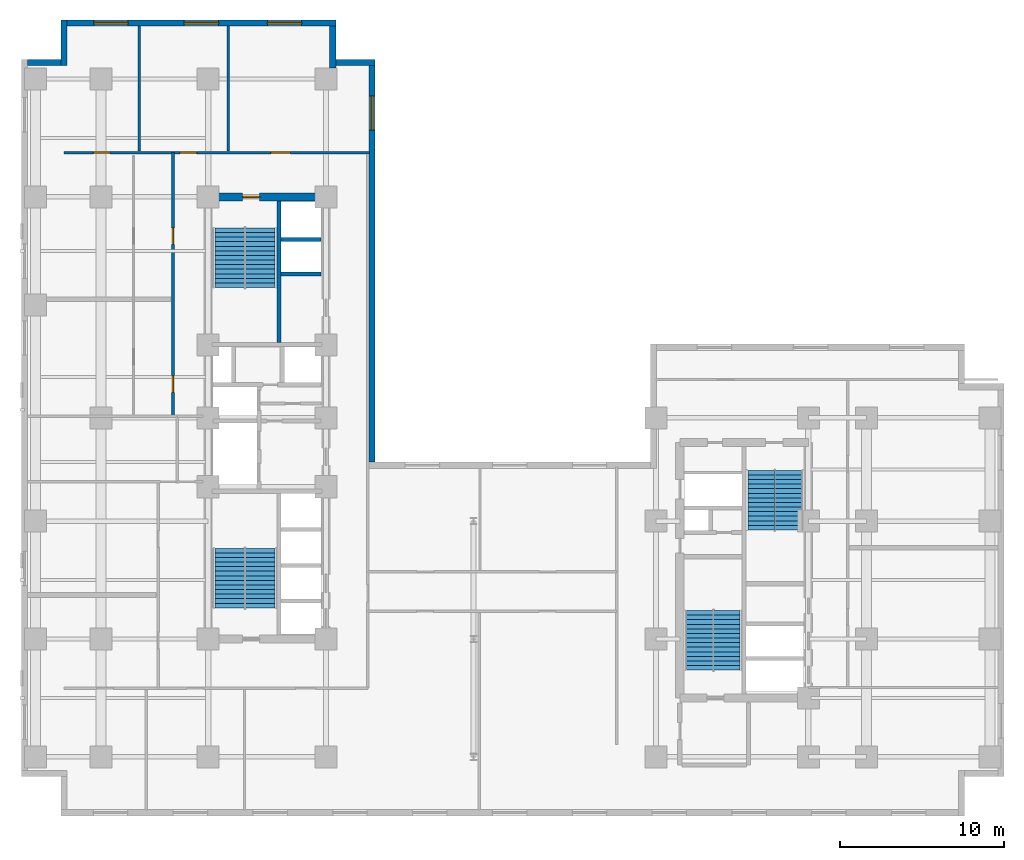
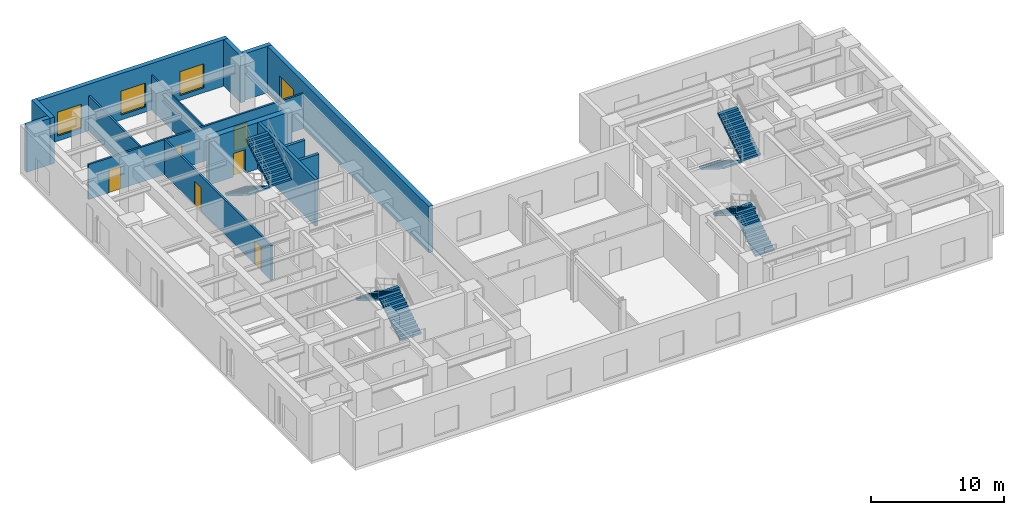
# One storey, part 6 of 9: 14 walls, 8 stair flights, 6 doors, 4 windows, 10 openings, 4 elements without a shape of their own.
"""IFC4 building model written with IfcOpenShell, lengths in metres."""

from ifc_helpers import new_model, entity, si_unit, converted_unit, direction, frame, origin_with_axes, origin_2d_with_axis, place, context, subcontext, project, spatial, polyline, rectangle, outline, extrude, material, layer, layer_set, type_object, element, fill, aggregate, save


model = new_model("IFC4")

# Units and contexts
model_context = context("Model", 3, precision=1e-05, world=origin_with_axes(), true_north=direction((0.0, 1.0)))
body_context = subcontext(model_context, "Body", "Model", "MODEL_VIEW")
ifc_project = project(units=[si_unit("LENGTHUNIT", "METRE"), si_unit("AREAUNIT", "SQUARE_METRE"), si_unit("VOLUMEUNIT", "CUBIC_METRE"), converted_unit("PLANEANGLEUNIT", "DEGREE", entity("IfcPlaneAngleMeasure", 0.017453292519943295), si_unit("PLANEANGLEUNIT", "RADIAN"), dimensions=[0, 0, 0, 0, 0, 0, 0]), si_unit("MASSUNIT", "GRAM", prefix="KILO"), si_unit("THERMODYNAMICTEMPERATUREUNIT", "KELVIN")], contexts=[model_context])

# Site, building, storey
site_placement = place(None, origin_with_axes())
site = spatial("IfcSite", under=ifc_project, at=site_placement, CompositionType="ELEMENT")
building_placement = place(site_placement, origin_with_axes())
building = spatial("IfcBuilding", under=site, at=building_placement, Name="Varnlund Millrace Tower", CompositionType="ELEMENT")
storey_placement = place(building_placement, frame((0.0, 0.0, 84.6), z_axis=(0.0, 0.0, 1.0), x_axis=(1.0, 0.0, 0.0)))
storey = spatial("IfcBuildingStorey", under=building, at=storey_placement, Name="L20", CompositionType="ELEMENT", Elevation=84.6)

# Wall, opening, door
ifc_material_1 = material(Name="Concrete C70/85", Category="concrete")
ifc_layer_1 = layer(ifc_material_1, 0.5, Name="Concrete C70/85")
ifc_layer_set_1 = layer_set([ifc_layer_1], Name="Concrete C70/85")
wall_type_1 = type_object("IfcWallType", Name="Type-CoreWall-Shear-500-C70", PredefinedType="SHEAR", material=ifc_layer_set_1)
wall_1_placement = place(storey_placement, frame((11.4, 37.8, 0.0), z_axis=(0.0, 0.0, 1.0), x_axis=(1.0, 0.0, 0.0)))
wall_1 = element("IfcWall", 1, at=wall_1_placement, inside=storey, type_object=wall_type_1, Name="Type-CoreWall-Shear-500-C70", PredefinedType="SHEAR", context=body_context, shape_type="SweptSolid", body=[
    extrude(outline(polyline([(0.0, -0.25), (7.2, -0.25), (7.2, 0.25), (0.0, 0.25), (0.0, -0.25)])), origin_with_axes(), (0.0, 0.0, 1.0), 4.26),
])
opening_1_placement = place(wall_1_placement, frame((2.625, 0.0, 0.0), z_axis=(0.0, 0.0, 1.0), x_axis=(1.0, 0.0, 0.0)))
opening_1 = element("IfcOpeningElement", 2, at=opening_1_placement, cuts=wall_1, Name="Opening L20:DR-STA2", PredefinedType="OPENING", context=body_context, shape_type="SweptSolid", body=[
    extrude(rectangle(XDim=1.05, YDim=0.52, at=origin_2d_with_axis()), origin_with_axes(), (0.0, 0.0, 1.0), 2.15),
])
ifc_material_2 = material(Name="Fire-rated hollow steel door", Category="steel")
door_type_1 = type_object("IfcDoorType", Name="Type-FireDoor-Stair-1050X2150", OperationType="NOTDEFINED", PredefinedType="DOOR", material=ifc_material_2)
door_1_placement = place(wall_1_placement, frame((2.625, 0.0, 0.0), z_axis=(0.0, 0.0, 1.0), x_axis=(1.0, 0.0, 0.0)))
door_1 = element("IfcDoor", 3, at=door_1_placement, inside=storey, type_object=door_type_1, Name="Type-FireDoor-Stair-1050X2150", OperationType="SINGLE_SWING_RIGHT", OverallHeight=2.15, OverallWidth=1.05, PredefinedType="DOOR", context=body_context, shape_type="SweptSolid", body=[
    extrude(rectangle(XDim=1.05, YDim=0.09, at=origin_2d_with_axis()), origin_with_axes(), (0.0, 0.0, 1.0), 2.15),
])
fill(opening_1, door_1)

# Walls
ifc_material_3 = material(Name="Precast concrete C50/60", Category="concrete")
ifc_layer_2 = layer(ifc_material_3, 0.38, Name="Precast concrete C50/60")
ifc_layer_set_2 = layer_set([ifc_layer_2], Name="Precast concrete C50/60")
wall_type_2 = type_object("IfcWallType", Name="Type-ExtWall-Precast-Tube-380", PredefinedType="SOLIDWALL", material=ifc_layer_set_2)
wall_2_placement = place(storey_placement, frame((0.38, 46.01, 0.0), z_axis=(0.0, 0.0, 1.0), x_axis=(1.0, 0.0, 0.0)))
element("IfcWall", 4, at=wall_2_placement, inside=storey, type_object=wall_type_2, Name="Type-ExtWall-Precast-Tube-380", PredefinedType="SOLIDWALL", context=body_context, shape_type="SweptSolid", body=[
    extrude(outline(polyline([(0.0, -0.19), (2.02, -0.19), (2.02, 0.19), (0.0, 0.19), (0.0, -0.19)])), origin_with_axes(), (0.0, 0.0, 1.0), 4.26),
])
wall_3_placement = place(storey_placement, frame((2.59, 45.82, 0.0), z_axis=(0.0, 0.0, 1.0), x_axis=(0.0, 1.0, 0.0)))
element("IfcWall", 5, at=wall_3_placement, inside=storey, type_object=wall_type_2, Name="Type-ExtWall-Precast-Tube-380", PredefinedType="SOLIDWALL", context=body_context, shape_type="SweptSolid", body=[
    extrude(outline(polyline([(0.0, -0.19), (2.78, -0.19), (2.78, 0.19), (0.0, 0.19), (0.0, -0.19)])), origin_with_axes(), (0.0, 0.0, 1.0), 4.26),
])

# Wall, openings, windows
wall_4_placement = place(storey_placement, frame((2.78, 48.41, 0.0), z_axis=(0.0, 0.0, 1.0), x_axis=(1.0, 0.0, 0.0)))
wall_4 = element("IfcWall", 6, at=wall_4_placement, inside=storey, type_object=wall_type_2, Name="Type-ExtWall-Precast-Tube-380", PredefinedType="SOLIDWALL", context=body_context, shape_type="SweptSolid", body=[
    extrude(outline(polyline([(0.0, -0.19), (16.42, -0.19), (16.42, 0.19), (0.0, 0.19), (0.0, -0.19)])), origin_with_axes(), (0.0, 0.0, 1.0), 4.26),
])
opening_2_placement = place(wall_4_placement, frame((2.687, 0.0, 0.45), z_axis=(0.0, 0.0, 1.0), x_axis=(1.0, 0.0, 0.0)))
opening_2 = element("IfcOpeningElement", 7, at=opening_2_placement, cuts=wall_4, Name="Opening L20:WN-22", PredefinedType="OPENING", context=body_context, shape_type="SweptSolid", body=[
    extrude(rectangle(XDim=2.1, YDim=0.4, at=origin_2d_with_axis()), origin_with_axes(), (0.0, 0.0, 1.0), 2.2),
])
opening_3_placement = place(wall_4_placement, frame((8.21, 0.0, 0.45), z_axis=(0.0, 0.0, 1.0), x_axis=(1.0, 0.0, 0.0)))
opening_3 = element("IfcOpeningElement", 8, at=opening_3_placement, cuts=wall_4, Name="Opening L20:WN-23", PredefinedType="OPENING", context=body_context, shape_type="SweptSolid", body=[
    extrude(rectangle(XDim=2.1, YDim=0.4, at=origin_2d_with_axis()), origin_with_axes(), (0.0, 0.0, 1.0), 2.2),
])
opening_4_placement = place(wall_4_placement, frame((13.283, 0.0, 0.45), z_axis=(0.0, 0.0, 1.0), x_axis=(1.0, 0.0, 0.0)))
opening_4 = element("IfcOpeningElement", 9, at=opening_4_placement, cuts=wall_4, Name="Opening L20:WN-24", PredefinedType="OPENING", context=body_context, shape_type="SweptSolid", body=[
    extrude(rectangle(XDim=2.1, YDim=0.4, at=origin_2d_with_axis()), origin_with_axes(), (0.0, 0.0, 1.0), 2.2),
])
ifc_material_4 = material(Name="Argon low-e triple glazing in thermally broken bronze frame", Category="glass")
window_type = type_object("IfcWindowType", Name="Type-Window-Punched-2100X2200", PartitioningType="SINGLE_PANEL", PredefinedType="WINDOW", material=ifc_material_4)
window_1_placement = place(wall_4_placement, frame((2.687, 0.0, 0.45), z_axis=(0.0, 0.0, 1.0), x_axis=(1.0, 0.0, 0.0)))
window_1 = element("IfcWindow", 10, at=window_1_placement, inside=storey, type_object=window_type, Name="Type-Window-Punched-2100X2200", OverallHeight=2.2, OverallWidth=2.1, PredefinedType="WINDOW", context=body_context, shape_type="SweptSolid", body=[
    extrude(rectangle(XDim=2.1, YDim=0.09, at=origin_2d_with_axis()), origin_with_axes(), (0.0, 0.0, 1.0), 2.2),
])
fill(opening_2, window_1)
window_2_placement = place(wall_4_placement, frame((8.21, 0.0, 0.45), z_axis=(0.0, 0.0, 1.0), x_axis=(1.0, 0.0, 0.0)))
window_2 = element("IfcWindow", 11, at=window_2_placement, inside=storey, type_object=window_type, Name="Type-Window-Punched-2100X2200", OverallHeight=2.2, OverallWidth=2.1, PredefinedType="WINDOW", context=body_context, shape_type="SweptSolid", body=[
    extrude(rectangle(XDim=2.1, YDim=0.09, at=origin_2d_with_axis()), origin_with_axes(), (0.0, 0.0, 1.0), 2.2),
])
fill(opening_3, window_2)
window_3_placement = place(wall_4_placement, frame((13.283, 0.0, 0.45), z_axis=(0.0, 0.0, 1.0), x_axis=(1.0, 0.0, 0.0)))
window_3 = element("IfcWindow", 12, at=window_3_placement, inside=storey, type_object=window_type, Name="Type-Window-Punched-2100X2200", OverallHeight=2.2, OverallWidth=2.1, PredefinedType="WINDOW", context=body_context, shape_type="SweptSolid", body=[
    extrude(rectangle(XDim=2.1, YDim=0.09, at=origin_2d_with_axis()), origin_with_axes(), (0.0, 0.0, 1.0), 2.2),
])
fill(opening_4, window_3)

# Walls
wall_5_placement = place(storey_placement, frame((19.01, 48.22, 0.0), z_axis=(0.0, 0.0, 1.0), x_axis=(0.0, -1.0, 0.0)))
element("IfcWall", 13, at=wall_5_placement, inside=storey, type_object=wall_type_2, Name="Type-ExtWall-Precast-Tube-380", PredefinedType="SOLIDWALL", context=body_context, shape_type="SweptSolid", body=[
    extrude(outline(polyline([(0.0, -0.19), (2.56, -0.19), (2.56, 0.19), (0.0, 0.19), (0.0, -0.19)])), origin_with_axes(), (0.0, 0.0, 1.0), 4.26),
])
wall_6_placement = place(storey_placement, frame((18.82, 46.01, 0.0), z_axis=(0.0, 0.0, 1.0), x_axis=(1.0, 0.0, 0.0)))
element("IfcWall", 14, at=wall_6_placement, inside=storey, type_object=wall_type_2, Name="Type-ExtWall-Precast-Tube-380", PredefinedType="SOLIDWALL", context=body_context, shape_type="SweptSolid", body=[
    extrude(outline(polyline([(0.0, -0.19), (2.78, -0.19), (2.78, 0.19), (0.0, 0.19), (0.0, -0.19)])), origin_with_axes(), (0.0, 0.0, 1.0), 4.26),
])

# Wall, opening, window
wall_7_placement = place(storey_placement, frame((21.41, 45.82, 0.0), z_axis=(0.0, 0.0, 1.0), x_axis=(0.0, -1.0, 0.0)))
wall_7 = element("IfcWall", 15, at=wall_7_placement, inside=storey, type_object=wall_type_2, Name="Type-ExtWall-Precast-Tube-380", PredefinedType="SOLIDWALL", context=body_context, shape_type="SweptSolid", body=[
    extrude(outline(polyline([(0.0, -0.19), (24.22, -0.19), (24.22, 0.19), (0.0, 0.19), (0.0, -0.19)])), origin_with_axes(), (0.0, 0.0, 1.0), 4.26),
])
opening_5_placement = place(wall_7_placement, frame((2.902, 0.0, 0.45), z_axis=(0.0, 0.0, 1.0), x_axis=(1.0, 0.0, 0.0)))
opening_5 = element("IfcOpeningElement", 16, at=opening_5_placement, cuts=wall_7, Name="Opening L20:WN-25", PredefinedType="OPENING", context=body_context, shape_type="SweptSolid", body=[
    extrude(rectangle(XDim=2.1, YDim=0.4, at=origin_2d_with_axis()), origin_with_axes(), (0.0, 0.0, 1.0), 2.2),
])
window_4_placement = place(wall_7_placement, frame((2.902, 0.0, 0.45), z_axis=(0.0, 0.0, 1.0), x_axis=(1.0, 0.0, 0.0)))
window_4 = element("IfcWindow", 17, at=window_4_placement, inside=storey, type_object=window_type, Name="Type-Window-Punched-2100X2200", OverallHeight=2.2, OverallWidth=2.1, PredefinedType="WINDOW", context=body_context, shape_type="SweptSolid", body=[
    extrude(rectangle(XDim=2.1, YDim=0.09, at=origin_2d_with_axis()), origin_with_axes(), (0.0, 0.0, 1.0), 2.2),
])
fill(opening_5, window_4)

# Wall, openings, doors
ifc_material_5 = material(Name="Fire-rated gypsum board on cold-formed steel framing", Category="steel")
ifc_layer_3 = layer(ifc_material_5, 0.16, Name="Fire-rated gypsum board on cold-formed steel framing")
ifc_layer_set_3 = layer_set([ifc_layer_3], Name="Fire-rated gypsum board on cold-formed steel framing")
wall_type_3 = type_object("IfcWallType", Name="Type-Partition-Corridor-160", PredefinedType="PARTITIONING", material=ifc_layer_set_3)
wall_8_placement = place(storey_placement, frame((2.6, 40.5, 0.0), z_axis=(0.0, 0.0, 1.0), x_axis=(1.0, 0.0, 0.0)))
wall_8 = element("IfcWall", 18, at=wall_8_placement, inside=storey, type_object=wall_type_3, Name="Type-Partition-Corridor-160", PredefinedType="PARTITIONING", context=body_context, shape_type="SweptSolid", body=[
    extrude(outline(polyline([(0.0, -0.08), (18.65, -0.08), (18.65, 0.08), (0.0, 0.08), (0.0, -0.08)])), origin_with_axes(), (0.0, 0.0, 1.0), 3.2),
])
opening_6_placement = place(wall_8_placement, frame((2.291, 0.0, 0.0), z_axis=(0.0, 0.0, 1.0), x_axis=(1.0, 0.0, 0.0)))
opening_6 = element("IfcOpeningElement", 19, at=opening_6_placement, cuts=wall_8, Name="Opening L20:DR-WAN-01", PredefinedType="OPENING", context=body_context, shape_type="SweptSolid", body=[
    extrude(rectangle(XDim=1.0, YDim=0.18, at=origin_2d_with_axis()), origin_with_axes(), (0.0, 0.0, 1.0), 2.15),
])
opening_7_placement = place(wall_8_placement, frame((7.59, 0.0, 0.0), z_axis=(0.0, 0.0, 1.0), x_axis=(1.0, 0.0, 0.0)))
opening_7 = element("IfcOpeningElement", 20, at=opening_7_placement, cuts=wall_8, Name="Opening L20:DR-WAN-02", PredefinedType="OPENING", context=body_context, shape_type="SweptSolid", body=[
    extrude(rectangle(XDim=1.0, YDim=0.18, at=origin_2d_with_axis()), origin_with_axes(), (0.0, 0.0, 1.0), 2.15),
])
opening_8_placement = place(wall_8_placement, frame((13.2235, 0.0, 0.0), z_axis=(0.0, 0.0, 1.0), x_axis=(1.0, 0.0, 0.0)))
opening_8 = element("IfcOpeningElement", 21, at=opening_8_placement, cuts=wall_8, Name="Opening L20:DR-WAN-03", PredefinedType="OPENING", context=body_context, shape_type="SweptSolid", body=[
    extrude(rectangle(XDim=1.2, YDim=0.18, at=origin_2d_with_axis()), origin_with_axes(), (0.0, 0.0, 1.0), 2.2),
])
ifc_material_6 = material(Name="Wide executive white oak acoustic door")
door_type_2 = type_object("IfcDoorType", Name="Type-IntDoor-Exec-1200X2200", OperationType="NOTDEFINED", PredefinedType="DOOR", material=ifc_material_6)
door_2_placement = place(wall_8_placement, frame((13.2235, 0.0, 0.0), z_axis=(0.0, 0.0, 1.0), x_axis=(1.0, 0.0, 0.0)))
door_2 = element("IfcDoor", 22, at=door_2_placement, inside=storey, type_object=door_type_2, Name="Type-IntDoor-Exec-1200X2200", OperationType="SINGLE_SWING_LEFT", OverallHeight=2.2, OverallWidth=1.2, PredefinedType="DOOR", context=body_context, shape_type="SweptSolid", body=[
    extrude(rectangle(XDim=1.2, YDim=0.09, at=origin_2d_with_axis()), origin_with_axes(), (0.0, 0.0, 1.0), 2.2),
])
fill(opening_8, door_2)
ifc_material_7 = material(Name="Solid-core white oak and bronze frame door")
door_type_3 = type_object("IfcDoorType", Name="Type-IntDoor-Office-1000X2150", OperationType="NOTDEFINED", PredefinedType="DOOR", material=ifc_material_7)
door_3_placement = place(wall_8_placement, frame((2.291, 0.0, 0.0), z_axis=(0.0, 0.0, 1.0), x_axis=(1.0, 0.0, 0.0)))
door_3 = element("IfcDoor", 23, at=door_3_placement, inside=storey, type_object=door_type_3, Name="Type-IntDoor-Office-1000X2150", OperationType="SINGLE_SWING_LEFT", OverallHeight=2.15, OverallWidth=1.0, PredefinedType="DOOR", context=body_context, shape_type="SweptSolid", body=[
    extrude(rectangle(XDim=1.0, YDim=0.09, at=origin_2d_with_axis()), origin_with_axes(), (0.0, 0.0, 1.0), 2.15),
])
fill(opening_6, door_3)
door_4_placement = place(wall_8_placement, frame((7.59, 0.0, 0.0), z_axis=(0.0, 0.0, 1.0), x_axis=(1.0, 0.0, 0.0)))
door_4 = element("IfcDoor", 24, at=door_4_placement, inside=storey, type_object=door_type_3, Name="Type-IntDoor-Office-1000X2150", OperationType="SINGLE_SWING_RIGHT", OverallHeight=2.15, OverallWidth=1.0, PredefinedType="DOOR", context=body_context, shape_type="SweptSolid", body=[
    extrude(rectangle(XDim=1.0, YDim=0.09, at=origin_2d_with_axis()), origin_with_axes(), (0.0, 0.0, 1.0), 2.15),
])
fill(opening_7, door_4)

wall_9_placement = place(storey_placement, frame((9.25, 24.4, 0.0), z_axis=(0.0, 0.0, 1.0), x_axis=(0.0, 1.0, 0.0)))
wall_9 = element("IfcWall", 25, at=wall_9_placement, inside=storey, type_object=wall_type_3, Name="Type-Partition-Corridor-160", PredefinedType="PARTITIONING", context=body_context, shape_type="SweptSolid", body=[
    extrude(outline(polyline([(0.0, -0.08), (16.1, -0.08), (16.1, 0.08), (0.0, 0.08), (0.0, -0.08)])), origin_with_axes(), (0.0, 0.0, 1.0), 3.2),
])
opening_9_placement = place(wall_9_placement, frame((1.966, 0.0, 0.0), z_axis=(0.0, 0.0, 1.0), x_axis=(1.0, 0.0, 0.0)))
opening_9 = element("IfcOpeningElement", 26, at=opening_9_placement, cuts=wall_9, Name="Opening L20:DR-WN-01", PredefinedType="OPENING", context=body_context, shape_type="SweptSolid", body=[
    extrude(rectangle(XDim=1.0, YDim=0.18, at=origin_2d_with_axis()), origin_with_axes(), (0.0, 0.0, 1.0), 2.15),
])
opening_10_placement = place(wall_9_placement, frame((11.001, 0.0, 0.0), z_axis=(0.0, 0.0, 1.0), x_axis=(1.0, 0.0, 0.0)))
opening_10 = element("IfcOpeningElement", 27, at=opening_10_placement, cuts=wall_9, Name="Opening L20:DR-WN-02", PredefinedType="OPENING", context=body_context, shape_type="SweptSolid", body=[
    extrude(rectangle(XDim=1.0, YDim=0.18, at=origin_2d_with_axis()), origin_with_axes(), (0.0, 0.0, 1.0), 2.15),
])
door_5_placement = place(wall_9_placement, frame((1.966, 0.0, 0.0), z_axis=(0.0, 0.0, 1.0), x_axis=(1.0, 0.0, 0.0)))
door_5 = element("IfcDoor", 28, at=door_5_placement, inside=storey, type_object=door_type_3, Name="Type-IntDoor-Office-1000X2150", OperationType="SINGLE_SWING_LEFT", OverallHeight=2.15, OverallWidth=1.0, PredefinedType="DOOR", context=body_context, shape_type="SweptSolid", body=[
    extrude(rectangle(XDim=1.0, YDim=0.09, at=origin_2d_with_axis()), origin_with_axes(), (0.0, 0.0, 1.0), 2.15),
])
fill(opening_9, door_5)
door_6_placement = place(wall_9_placement, frame((11.001, 0.0, 0.0), z_axis=(0.0, 0.0, 1.0), x_axis=(1.0, 0.0, 0.0)))
door_6 = element("IfcDoor", 29, at=door_6_placement, inside=storey, type_object=door_type_3, Name="Type-IntDoor-Office-1000X2150", OperationType="SINGLE_SWING_RIGHT", OverallHeight=2.15, OverallWidth=1.0, PredefinedType="DOOR", context=body_context, shape_type="SweptSolid", body=[
    extrude(rectangle(XDim=1.0, YDim=0.09, at=origin_2d_with_axis()), origin_with_axes(), (0.0, 0.0, 1.0), 2.15),
])
fill(opening_10, door_6)

# Walls
ifc_material_8 = material(Name="Acoustic STC-50 gypsum board partition", Category="gypsum")
ifc_layer_4 = layer(ifc_material_8, 0.15, Name="Acoustic STC-50 gypsum board partition")
ifc_layer_set_4 = layer_set([ifc_layer_4], Name="Acoustic STC-50 gypsum board partition")
wall_type_4 = type_object("IfcWallType", Name="Type-Partition-Demising-150", PredefinedType="PARTITIONING", material=ifc_layer_set_4)
wall_10_placement = place(storey_placement, frame((7.192, 40.6, 0.0), z_axis=(0.0, 0.0, 1.0), x_axis=(0.0, 1.0, 0.0)))
element("IfcWall", 30, at=wall_10_placement, inside=storey, type_object=wall_type_4, Name="Type-Partition-Demising-150", PredefinedType="PARTITIONING", context=body_context, shape_type="SweptSolid", body=[
    extrude(outline(polyline([(0.0, -0.075), (7.64, -0.075), (7.64, 0.075), (0.0, 0.075), (0.0, -0.075)])), origin_with_axes(), (0.0, 0.0, 1.0), 3.2),
])
ifc_material_9 = material(Name="Gypsum board tenant partition", Category="gypsum")
ifc_layer_5 = layer(ifc_material_9, 0.125, Name="Gypsum board tenant partition")
ifc_layer_set_5 = layer_set([ifc_layer_5], Name="Gypsum board tenant partition")
wall_type_5 = type_object("IfcWallType", Name="Type-Partition-Tenant-125", PredefinedType="PARTITIONING", material=ifc_layer_set_5)
wall_11_placement = place(storey_placement, frame((12.627, 40.6, 0.0), z_axis=(0.0, 0.0, 1.0), x_axis=(0.0, 1.0, 0.0)))
element("IfcWall", 31, at=wall_11_placement, inside=storey, type_object=wall_type_5, Name="Type-Partition-Tenant-125", PredefinedType="PARTITIONING", context=body_context, shape_type="SweptSolid", body=[
    extrude(outline(polyline([(0.0, -0.0625), (7.64, -0.0625), (7.64, 0.0625), (0.0, 0.0625), (0.0, -0.0625)])), origin_with_axes(), (0.0, 0.0, 1.0), 3.2),
])
ifc_material_10 = material(Name="Concrete C60/75", Category="concrete")
ifc_layer_6 = layer(ifc_material_10, 0.25, Name="Concrete C60/75")
ifc_layer_set_6 = layer_set([ifc_layer_6], Name="Concrete C60/75")
wall_type_6 = type_object("IfcWallType", Name="Type-ShaftWall-Fire-250", PredefinedType="SOLIDWALL", material=ifc_layer_set_6)
for number, where, z_axis, x_axis, name in (
    (32, (15.84, 33.1, 0.0), (0.0, 0.0, 1.0), (1.0, 0.0, 0.0), "Type-ShaftWall-Fire-250"),
    (33, (15.84, 35.2, 0.0), (0.0, 0.0, 1.0), (1.0, 0.0, 0.0), "Type-ShaftWall-Fire-250"),
):
    element("IfcWall", number, at=place(storey_placement, frame(where, z_axis=z_axis, x_axis=x_axis)), inside=storey, type_object=wall_type_6, Name=name, PredefinedType="SOLIDWALL", context=body_context, shape_type="SweptSolid", body=[
        extrude(outline(polyline([(0.0, -0.125), (2.46, -0.125), (2.46, 0.125), (0.0, 0.125), (0.0, -0.125)])), origin_with_axes(), (0.0, 0.0, 1.0), 3.2),
    ])
wall_type_7 = type_object("IfcWallType", Name="Type-StairWall-Shear-250", PredefinedType="SHEAR", material=ifc_layer_set_6)
wall_12_placement = place(storey_placement, frame((15.725, 28.9, 0.0), z_axis=(0.0, 0.0, 1.0), x_axis=(0.0, 1.0, 0.0)))
element("IfcWall", 34, at=wall_12_placement, inside=storey, type_object=wall_type_7, Name="Type-StairWall-Shear-250", PredefinedType="SHEAR", context=body_context, shape_type="SweptSolid", body=[
    extrude(outline(polyline([(0.0, -0.125), (8.65, -0.125), (8.65, 0.125), (0.0, 0.125), (0.0, -0.125)])), origin_with_axes(), (0.0, 0.0, 1.0), 4.26),
])

# Stair, stair flights
ifc_material_11 = material(Name="Concrete C50/60", Category="concrete")
stair_type_1 = type_object("IfcStairType", Name="Type-Stair-Dogleg-165-450", PredefinedType="HALF_TURN_STAIR", material=ifc_material_11)
stair_1_placement = place(storey_placement, origin_with_axes())
stair_1 = element("IfcStair", 35, at=stair_1_placement, inside=storey, type_object=stair_type_1, Name="Type-Stair-Dogleg-165-450", PredefinedType="HALF_TURN_STAIR")
stair_flight_type_1 = type_object("IfcStairFlightType", Name="Type-Dogleg-Run-165-450", PredefinedType="STRAIGHT", material=ifc_material_3)
stair_flight_1_placement = place(storey_placement, frame((42.225, 8.9, 0.0), z_axis=(1.0, 0.0, 0.0), x_axis=(0.0, 1.0, 0.0)))
stair_flight_1 = element("IfcStairFlight", 36, at=stair_flight_1_placement, type_object=stair_flight_type_1, Name="ST-B1 flight 1", NumberOfRisers=13, NumberOfTreads=13, PredefinedType="STRAIGHT", RiserHeight=0.173077, TreadLength=0.28, context=body_context, shape_type="SweptSolid", body=[
    extrude(outline(polyline([(0.0, 0.0), (0.0, 0.173077), (0.28, 0.173077), (0.28, 0.346154), (0.56, 0.346154), (0.56, 0.519231), (0.84, 0.519231), (0.84, 0.692308), (1.12, 0.692308), (1.12, 0.865384), (1.4, 0.865384), (1.4, 1.038461), (1.68, 1.038461), (1.68, 1.211538), (1.96, 1.211538), (1.96, 1.384615), (2.24, 1.384615), (2.24, 1.557692), (2.52, 1.557692), (2.52, 1.730769), (2.8, 1.730769), (2.8, 1.903846), (3.08, 1.903846), (3.08, 2.076923), (3.36, 2.076923), (3.36, 2.25), (3.64, 2.25), (3.64, 2.1), (0.28, 0.0), (0.0, 0.0)])), origin_with_axes(), (0.0, 0.0, 1.0), 1.65),
])
stair_flight_2_placement = place(storey_placement, frame((42.275, 12.54, 2.25), z_axis=(-1.0, 0.0, 0.0), x_axis=(0.0, -1.0, 0.0)))
stair_flight_2 = element("IfcStairFlight", 37, at=stair_flight_2_placement, type_object=stair_flight_type_1, Name="ST-B1 flight 2", NumberOfRisers=13, NumberOfTreads=13, PredefinedType="STRAIGHT", RiserHeight=0.173077, TreadLength=0.28, context=body_context, shape_type="SweptSolid", body=[
    extrude(outline(polyline([(0.0, 0.0), (0.0, 0.173077), (0.28, 0.173077), (0.28, 0.346154), (0.56, 0.346154), (0.56, 0.519231), (0.84, 0.519231), (0.84, 0.692308), (1.12, 0.692308), (1.12, 0.865384), (1.4, 0.865384), (1.4, 1.038461), (1.68, 1.038461), (1.68, 1.211538), (1.96, 1.211538), (1.96, 1.384615), (2.24, 1.384615), (2.24, 1.557692), (2.52, 1.557692), (2.52, 1.730769), (2.8, 1.730769), (2.8, 1.903846), (3.08, 1.903846), (3.08, 2.076923), (3.36, 2.076923), (3.36, 2.25), (3.64, 2.25), (3.64, 2.1), (0.28, 0.0), (0.0, 0.0)])), origin_with_axes(), (0.0, 0.0, 1.0), 1.65),
])
aggregate(stair_1, [stair_flight_1, stair_flight_2])

stair_2_placement = place(storey_placement, origin_with_axes())
stair_2 = element("IfcStair", 38, at=stair_2_placement, inside=storey, type_object=stair_type_1, Name="Type-Stair-Dogleg-165-450", PredefinedType="HALF_TURN_STAIR")
stair_flight_3_placement = place(storey_placement, frame((46.025, 21.1, 0.0), z_axis=(-1.0, 0.0, 0.0), x_axis=(0.0, -1.0, 0.0)))
stair_flight_3 = element("IfcStairFlight", 39, at=stair_flight_3_placement, type_object=stair_flight_type_1, Name="ST-B2 flight 1", NumberOfRisers=13, NumberOfTreads=13, PredefinedType="STRAIGHT", RiserHeight=0.173077, TreadLength=0.28, context=body_context, shape_type="SweptSolid", body=[
    extrude(outline(polyline([(0.0, 0.0), (0.0, 0.173077), (0.28, 0.173077), (0.28, 0.346154), (0.56, 0.346154), (0.56, 0.519231), (0.84, 0.519231), (0.84, 0.692308), (1.12, 0.692308), (1.12, 0.865384), (1.4, 0.865384), (1.4, 1.038461), (1.68, 1.038461), (1.68, 1.211538), (1.96, 1.211538), (1.96, 1.384615), (2.24, 1.384615), (2.24, 1.557692), (2.52, 1.557692), (2.52, 1.730769), (2.8, 1.730769), (2.8, 1.903846), (3.08, 1.903846), (3.08, 2.076923), (3.36, 2.076923), (3.36, 2.25), (3.64, 2.25), (3.64, 2.1), (0.28, 0.0), (0.0, 0.0)])), origin_with_axes(), (0.0, 0.0, 1.0), 1.65),
])
stair_flight_4_placement = place(storey_placement, frame((45.975, 17.46, 2.25), z_axis=(1.0, 0.0, 0.0), x_axis=(0.0, 1.0, 0.0)))
stair_flight_4 = element("IfcStairFlight", 40, at=stair_flight_4_placement, type_object=stair_flight_type_1, Name="ST-B2 flight 2", NumberOfRisers=13, NumberOfTreads=13, PredefinedType="STRAIGHT", RiserHeight=0.173077, TreadLength=0.28, context=body_context, shape_type="SweptSolid", body=[
    extrude(outline(polyline([(0.0, 0.0), (0.0, 0.173077), (0.28, 0.173077), (0.28, 0.346154), (0.56, 0.346154), (0.56, 0.519231), (0.84, 0.519231), (0.84, 0.692308), (1.12, 0.692308), (1.12, 0.865384), (1.4, 0.865384), (1.4, 1.038461), (1.68, 1.038461), (1.68, 1.211538), (1.96, 1.211538), (1.96, 1.384615), (2.24, 1.384615), (2.24, 1.557692), (2.52, 1.557692), (2.52, 1.730769), (2.8, 1.730769), (2.8, 1.903846), (3.08, 1.903846), (3.08, 2.076923), (3.36, 2.076923), (3.36, 2.25), (3.64, 2.25), (3.64, 2.1), (0.28, 0.0), (0.0, 0.0)])), origin_with_axes(), (0.0, 0.0, 1.0), 1.65),
])
aggregate(stair_2, [stair_flight_3, stair_flight_4])

stair_type_2 = type_object("IfcStairType", Name="Type-Stair-Dogleg-185-450", PredefinedType="HALF_TURN_STAIR", material=ifc_material_11)
stair_3_placement = place(storey_placement, origin_with_axes())
stair_3 = element("IfcStair", 41, at=stair_3_placement, inside=storey, type_object=stair_type_2, Name="Type-Stair-Dogleg-185-450", PredefinedType="HALF_TURN_STAIR")
stair_flight_type_2 = type_object("IfcStairFlightType", Name="Type-Dogleg-Run-185-450", PredefinedType="STRAIGHT", material=ifc_material_3)
stair_flight_5_placement = place(storey_placement, frame((13.625, 12.7, 0.0), z_axis=(1.0, 0.0, 0.0), x_axis=(0.0, 1.0, 0.0)))
stair_flight_5 = element("IfcStairFlight", 42, at=stair_flight_5_placement, type_object=stair_flight_type_2, Name="ST-A1 flight 1", NumberOfRisers=13, NumberOfTreads=13, PredefinedType="STRAIGHT", RiserHeight=0.173077, TreadLength=0.28, context=body_context, shape_type="SweptSolid", body=[
    extrude(outline(polyline([(0.0, 0.0), (0.0, 0.173077), (0.28, 0.173077), (0.28, 0.346154), (0.56, 0.346154), (0.56, 0.519231), (0.84, 0.519231), (0.84, 0.692308), (1.12, 0.692308), (1.12, 0.865384), (1.4, 0.865384), (1.4, 1.038461), (1.68, 1.038461), (1.68, 1.211538), (1.96, 1.211538), (1.96, 1.384615), (2.24, 1.384615), (2.24, 1.557692), (2.52, 1.557692), (2.52, 1.730769), (2.8, 1.730769), (2.8, 1.903846), (3.08, 1.903846), (3.08, 2.076923), (3.36, 2.076923), (3.36, 2.25), (3.64, 2.25), (3.64, 2.1), (0.28, 0.0), (0.0, 0.0)])), origin_with_axes(), (0.0, 0.0, 1.0), 1.85),
])
stair_flight_6_placement = place(storey_placement, frame((13.675, 16.34, 2.25), z_axis=(-1.0, 0.0, 0.0), x_axis=(0.0, -1.0, 0.0)))
stair_flight_6 = element("IfcStairFlight", 43, at=stair_flight_6_placement, type_object=stair_flight_type_2, Name="ST-A1 flight 2", NumberOfRisers=13, NumberOfTreads=13, PredefinedType="STRAIGHT", RiserHeight=0.173077, TreadLength=0.28, context=body_context, shape_type="SweptSolid", body=[
    extrude(outline(polyline([(0.0, 0.0), (0.0, 0.173077), (0.28, 0.173077), (0.28, 0.346154), (0.56, 0.346154), (0.56, 0.519231), (0.84, 0.519231), (0.84, 0.692308), (1.12, 0.692308), (1.12, 0.865384), (1.4, 0.865384), (1.4, 1.038461), (1.68, 1.038461), (1.68, 1.211538), (1.96, 1.211538), (1.96, 1.384615), (2.24, 1.384615), (2.24, 1.557692), (2.52, 1.557692), (2.52, 1.730769), (2.8, 1.730769), (2.8, 1.903846), (3.08, 1.903846), (3.08, 2.076923), (3.36, 2.076923), (3.36, 2.25), (3.64, 2.25), (3.64, 2.1), (0.28, 0.0), (0.0, 0.0)])), origin_with_axes(), (0.0, 0.0, 1.0), 1.85),
])
aggregate(stair_3, [stair_flight_5, stair_flight_6])

stair_4_placement = place(storey_placement, origin_with_axes())
stair_4 = element("IfcStair", 44, at=stair_4_placement, inside=storey, type_object=stair_type_2, Name="Type-Stair-Dogleg-185-450", PredefinedType="HALF_TURN_STAIR")
stair_flight_7_placement = place(storey_placement, frame((13.675, 35.9, 0.0), z_axis=(-1.0, 0.0, 0.0), x_axis=(0.0, -1.0, 0.0)))
stair_flight_7 = element("IfcStairFlight", 45, at=stair_flight_7_placement, type_object=stair_flight_type_2, Name="ST-A2 flight 1", NumberOfRisers=13, NumberOfTreads=13, PredefinedType="STRAIGHT", RiserHeight=0.173077, TreadLength=0.28, context=body_context, shape_type="SweptSolid", body=[
    extrude(outline(polyline([(0.0, 0.0), (0.0, 0.173077), (0.28, 0.173077), (0.28, 0.346154), (0.56, 0.346154), (0.56, 0.519231), (0.84, 0.519231), (0.84, 0.692308), (1.12, 0.692308), (1.12, 0.865384), (1.4, 0.865384), (1.4, 1.038461), (1.68, 1.038461), (1.68, 1.211538), (1.96, 1.211538), (1.96, 1.384615), (2.24, 1.384615), (2.24, 1.557692), (2.52, 1.557692), (2.52, 1.730769), (2.8, 1.730769), (2.8, 1.903846), (3.08, 1.903846), (3.08, 2.076923), (3.36, 2.076923), (3.36, 2.25), (3.64, 2.25), (3.64, 2.1), (0.28, 0.0), (0.0, 0.0)])), origin_with_axes(), (0.0, 0.0, 1.0), 1.85),
])
stair_flight_8_placement = place(storey_placement, frame((13.625, 32.26, 2.25), z_axis=(1.0, 0.0, 0.0), x_axis=(0.0, 1.0, 0.0)))
stair_flight_8 = element("IfcStairFlight", 46, at=stair_flight_8_placement, type_object=stair_flight_type_2, Name="ST-A2 flight 2", NumberOfRisers=13, NumberOfTreads=13, PredefinedType="STRAIGHT", RiserHeight=0.173077, TreadLength=0.28, context=body_context, shape_type="SweptSolid", body=[
    extrude(outline(polyline([(0.0, 0.0), (0.0, 0.173077), (0.28, 0.173077), (0.28, 0.346154), (0.56, 0.346154), (0.56, 0.519231), (0.84, 0.519231), (0.84, 0.692308), (1.12, 0.692308), (1.12, 0.865384), (1.4, 0.865384), (1.4, 1.038461), (1.68, 1.038461), (1.68, 1.211538), (1.96, 1.211538), (1.96, 1.384615), (2.24, 1.384615), (2.24, 1.557692), (2.52, 1.557692), (2.52, 1.730769), (2.8, 1.730769), (2.8, 1.903846), (3.08, 1.903846), (3.08, 2.076923), (3.36, 2.076923), (3.36, 2.25), (3.64, 2.25), (3.64, 2.1), (0.28, 0.0), (0.0, 0.0)])), origin_with_axes(), (0.0, 0.0, 1.0), 1.85),
])
aggregate(stair_4, [stair_flight_7, stair_flight_8])

save(model, "model.ifc")
